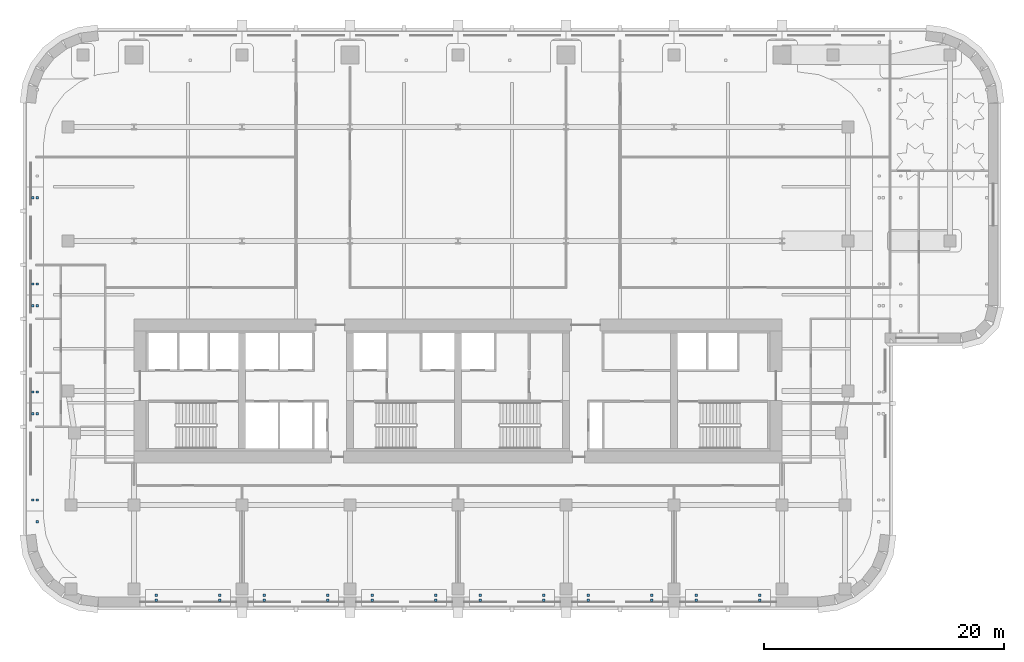
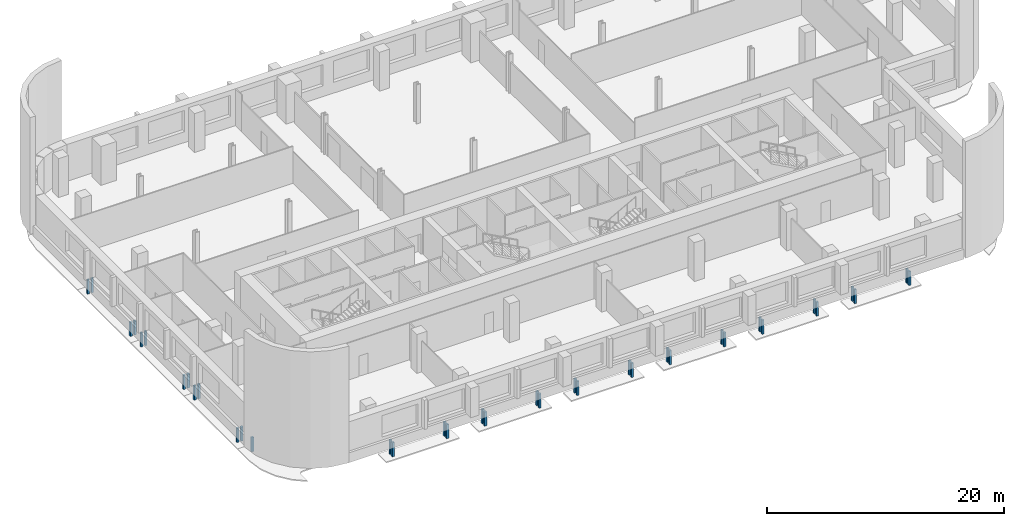
# One storey, part 8 of 13: 37 discrete accessories.
"""IFC4 building model written with IfcOpenShell, lengths in metres."""

import ifcopenshell
import ifcopenshell.guid

model = None  # the IFC model being written
_history = None  # IfcOwnerHistory: only IFC2X3 demands one
_inside = {}  # id of a spatial element -> (the spatial element, [elements in it])
_under = {}  # id of a project, library or spatial element -> (it, [spatial elements below it])
_declared = {}  # id of a project -> (the project, [libraries it declares])
_typed = {}  # id of a type object -> (the type object, [elements of that type])
_made_of = {}  # id of a material, layer set ... -> (it, [elements and type objects made of it])


def new_model(schema):
    """Start an empty IFC model of exactly this schema.

    Asked for "IFC4X3", IfcOpenShell would pick the latest addendum, in which some entities
    have other attributes; the version numbers below select the first issue.
    IFC2X3 requires an IfcOwnerHistory on every rooted entity: one is made here for all.
    """
    global model, _history
    if schema == "IFC4X3":
        model = ifcopenshell.file(schema_version=(4, 3, 0, 0))
    else:
        model = ifcopenshell.file(schema=schema)
    _inside.clear()
    _under.clear()
    _declared.clear()
    _typed.clear()
    _made_of.clear()
    _history = None
    if model.schema == "IFC2X3":
        org = make("IfcOrganization", Name="unknown")
        user = make(
            "IfcPersonAndOrganization",
            ThePerson=make("IfcPerson", FamilyName="unknown"),
            TheOrganization=org,
        )
        app = make(
            "IfcApplication",
            ApplicationDeveloper=org,
            Version="unknown",
            ApplicationFullName="unknown",
            ApplicationIdentifier="unknown",
        )
        _history = make(
            "IfcOwnerHistory",
            OwningUser=user,
            OwningApplication=app,
            ChangeAction="ADDED",
            CreationDate=0,
        )
    return model


def make(cls, **values):
    """One entity of the class cls with the attributes given. An attribute that is None is left unset."""
    return model.create_entity(
        cls, **{name: value for name, value in values.items() if value is not None}
    )


def rooted(cls, **values):
    """An entity with a GlobalId (a new one), such as an element, a storey or a relation."""
    return make(cls, GlobalId=ifcopenshell.guid.new(), OwnerHistory=_history, **values)


def si_unit(unit_type, name, prefix=None):
    """IfcSIUnit, for example si_unit("LENGTHUNIT", "METRE", prefix="MILLI")."""
    return make("IfcSIUnit", UnitType=unit_type, Prefix=prefix, Name=name)


def assignment(units):
    """IfcUnitAssignment: the units of a project."""
    return None if units is None else make("IfcUnitAssignment", Units=units)


def point(xyz):
    """IfcCartesianPoint."""
    return None if xyz is None else make("IfcCartesianPoint", Coordinates=xyz)


def direction(xyz):
    """IfcDirection."""
    return None if xyz is None else make("IfcDirection", DirectionRatios=xyz)


def frame(location, z_axis=None, x_axis=None):
    """IfcAxis2Placement3D, a coordinate frame: its origin and axes. An axis left out is left unset."""
    return make(
        "IfcAxis2Placement3D",
        Location=point(location),
        Axis=direction(z_axis),
        RefDirection=direction(x_axis),
    )


def frame_2d(location, x_axis=None):
    """IfcAxis2Placement2D, a coordinate frame in the plane: its origin and x axis."""
    return make(
        "IfcAxis2Placement2D", Location=point(location), RefDirection=direction(x_axis)
    )


def origin():
    """The frame at (0, 0, 0) with its axes left unset."""
    return frame((0.0, 0.0, 0.0))


def origin_2d():
    """The frame at (0, 0) in the plane with its x axis left unset."""
    return frame_2d((0.0, 0.0))


def place(relative_to, where):
    """IfcLocalPlacement: puts the frame where relative to a parent placement (None: the world)."""
    return make(
        "IfcLocalPlacement", PlacementRelTo=relative_to, RelativePlacement=where
    )


def context(
    kind, dimensions, precision=None, world=None, true_north=None, identifier=None
):
    """IfcGeometricRepresentationContext, for example the 3D "Model" context."""
    return make(
        "IfcGeometricRepresentationContext",
        ContextIdentifier=identifier,
        ContextType=kind,
        CoordinateSpaceDimension=dimensions,
        Precision=precision,
        WorldCoordinateSystem=world,
        TrueNorth=true_north,
    )


def subcontext(parent, identifier, kind, view, scale=None):
    """IfcGeometricRepresentationSubContext, for example "Body" below "Model"."""
    return make(
        "IfcGeometricRepresentationSubContext",
        ContextIdentifier=identifier,
        ContextType=kind,
        ParentContext=parent,
        TargetScale=scale,
        TargetView=view,
    )


def project(units=None, contexts=None):
    """IfcProject with its units and contexts."""
    return rooted(
        "IfcProject",
        Name="project",
        RepresentationContexts=contexts,
        UnitsInContext=assignment(units),
    )


def spatial(cls, under=None, at=None, **own):
    """A site, building, storey or space (cls), placed at a placement, below another one or the project."""
    s = rooted(cls, ObjectPlacement=at, **own)
    if under is not None:
        _under.setdefault(under.id(), (under, []))[1].append(s)
    return s


def profile(cls, at=None, kind="AREA", **sizes):
    """A parametric profile (cls). Its sizes go by their IFC names, for example OverallWidth=200.0."""
    return make(cls, ProfileType=kind, Position=at, **sizes)


def rectangle(**sizes):
    """IfcRectangleProfileDef."""
    return profile("IfcRectangleProfileDef", **sizes)


def extrude(swept, where, along, depth):
    """IfcExtrudedAreaSolid: the profile swept, set in the frame where, extruded along a direction by depth."""
    return make(
        "IfcExtrudedAreaSolid",
        SweptArea=swept,
        Position=where,
        ExtrudedDirection=direction(along),
        Depth=depth,
    )


def shape(context_of_items, identifier, shape_type, items):
    """IfcShapeRepresentation: the items that make up one representation, for example the "Body"."""
    return make(
        "IfcShapeRepresentation",
        ContextOfItems=context_of_items,
        RepresentationIdentifier=identifier,
        RepresentationType=shape_type,
        Items=items,
    )


def material(Name=None, Category=None):
    """IfcMaterial."""
    return make("IfcMaterial", Name=Name, Category=Category)


def made_of(thing, what):
    """Note that an element or type object is made of a material, layer set ...; save() writes the relation."""
    if what is not None:
        _made_of.setdefault(what.id(), (what, []))[1].append(thing)
    return thing


def type_object(cls, material=None, **own):
    """A type object (cls), such as IfcWallType, which elements share."""
    return made_of(rooted(cls, **own), material)


def element(
    cls,
    number,
    at=None,
    inside=None,
    cuts=None,
    type_object=None,
    material=None,
    context=None,
    identifier="Body",
    shape_type=None,
    held_by="IfcProductDefinitionShape",
    body=None,
    shapes=None,
    **own,
):
    """One element of the class cls, such as IfcWall. Its Tag is "e" and its number.

    at: its placement. inside: the storey or other place that contains it. cuts: it is an
    opening in that element (IfcRelVoidsElement). A single representation is given by context,
    identifier, shape_type and body (its items); several are given by shapes. held_by: the class
    of the entity that holds the representations. save() writes the other relations.
    """
    e = rooted(cls, Tag="e%d" % number, ObjectPlacement=at, **own)
    if body is not None:
        shapes = [shape(context, identifier, shape_type, body)]
    if shapes is not None:
        e.Representation = make(held_by, Representations=shapes)
    if inside is not None:
        _inside.setdefault(inside.id(), (inside, []))[1].append(e)
    if cuts is not None:
        rooted(
            "IfcRelVoidsElement", RelatingBuildingElement=cuts, RelatedOpeningElement=e
        )
    if type_object is not None:
        _typed.setdefault(type_object.id(), (type_object, []))[1].append(e)
    return made_of(e, material)


def aggregate(whole, parts):
    """IfcRelAggregates: a whole, such as a stair, and the parts it consists of."""
    return rooted("IfcRelAggregates", RelatingObject=whole, RelatedObjects=parts)


def save(model, path):
    """Write the relations noted so far, then the file.

    IfcRelAggregates (storeys below a building ...), IfcRelContainedInSpatialStructure (elements
    in a storey), IfcRelDefinesByType, IfcRelAssociatesMaterial and IfcRelDeclares: one each for
    every whole, place, type object, material and project.
    """
    for whole, parts in _under.values():
        aggregate(whole, parts)
    for where, things in _inside.values():
        rooted(
            "IfcRelContainedInSpatialStructure",
            RelatedElements=things,
            RelatingStructure=where,
        )
    for kind, things in _typed.values():
        rooted("IfcRelDefinesByType", RelatedObjects=things, RelatingType=kind)
    for what, things in _made_of.values():
        rooted("IfcRelAssociatesMaterial", RelatedObjects=things, RelatingMaterial=what)
    for by, libraries in _declared.values():
        rooted("IfcRelDeclares", RelatingContext=by, RelatedDefinitions=libraries)
    model.write(path)


model = new_model("IFC4")

# Units and contexts
model_context = context("Model", 3, precision=1e-05, world=origin(), true_north=direction((0.0, 1.0)))
body_context = subcontext(model_context, "Body", "Model", "MODEL_VIEW")
ifc_project = project(units=[si_unit("LENGTHUNIT", "METRE"), si_unit("AREAUNIT", "SQUARE_METRE"), si_unit("VOLUMEUNIT", "CUBIC_METRE"), si_unit("PLANEANGLEUNIT", "RADIAN"), si_unit("MASSUNIT", "GRAM", prefix="KILO")], contexts=[model_context])

# Site, building, storey
site_placement = place(None, origin())
site = spatial("IfcSite", under=ifc_project, at=site_placement, CompositionType="ELEMENT")
building_placement = place(site_placement, origin())
building = spatial("IfcBuilding", under=site, at=building_placement, Name="Zellij Exchange Tower", CompositionType="ELEMENT")
storey_placement = place(building_placement, frame((0.0, 0.0, 108.5)))
storey = spatial("IfcBuildingStorey", under=building, at=storey_placement, Name="L23", CompositionType="ELEMENT", Elevation=108.5)

# Discrete accessories
ifc_material = material(Name="Stainless steel", Category="steel")
discrete_accessory_type = type_object("IfcDiscreteAccessoryType", Name="ENV-BR1 Stone panel bracket 200", PredefinedType="USERDEFINED", material=ifc_material)
for number, where, z_axis, x_axis, name in (
    (1, (-35.050048828125, -18.89990234375, -1.64990234375), (0.0, 0.0, 1.0), (1.0, 0.0, 0.0), "Panel bracket"),
    (2, (-35.050048828125, -17.10009765625, -1.64990234375), (0.0, 0.0, 1.0), (1.0, 0.0, 0.0), "Panel bracket"),
    (3, (-35.449951171875, -17.10009765625, -1.64990234375), (0.0, 0.0, 1.0), (1.0, 0.0, 0.0), "Panel bracket"),
    (4, (-35.050048828125, -9.89990234375, -1.64990234375), (0.0, 0.0, 1.0), (1.0, 0.0, 0.0), "Panel bracket"),
    (5, (-35.449951171875, -9.89990234375, -1.64990234375), (0.0, 0.0, 1.0), (1.0, 0.0, 0.0), "Panel bracket"),
    (6, (-35.050048828125, -8.10009765625, -1.64990234375), (0.0, 0.0, 1.0), (1.0, 0.0, 0.0), "Panel bracket"),
    (7, (-35.449951171875, -8.10009765625, -1.64990234375), (0.0, 0.0, 1.0), (1.0, 0.0, 0.0), "Panel bracket"),
    (8, (-35.050048828125, -0.89990234375, -1.64990234375), (0.0, 0.0, 1.0), (1.0, 0.0, 0.0), "Panel bracket"),
    (9, (-35.449951171875, -0.89990234375, -1.64990234375), (0.0, 0.0, 1.0), (1.0, 0.0, 0.0), "Panel bracket"),
    (10, (-35.050048828125, 0.89990234375, -1.64990234375), (0.0, 0.0, 1.0), (1.0, 0.0, 0.0), "Panel bracket"),
    (11, (-35.449951171875, 0.89990234375, -1.64990234375), (0.0, 0.0, 1.0), (1.0, 0.0, 0.0), "Panel bracket"),
    (12, (-35.050048828125, 8.10009765625, -1.64990234375), (0.0, 0.0, 1.0), (1.0, 0.0, 0.0), "Panel bracket"),
    (13, (-35.449951171875, 8.10009765625, -1.64990234375), (0.0, 0.0, 1.0), (1.0, 0.0, 0.0), "Panel bracket"),
    (14, (-25.14990234375, -25.050048828125, -1.64990234375), (0.0, 0.0, 1.0), (1.0, 0.0, 0.0), "Panel bracket"),
    (15, (-19.85009765625, -25.050048828125, -1.64990234375), (0.0, 0.0, 1.0), (1.0, 0.0, 0.0), "Panel bracket"),
    (16, (-25.14990234375, -25.449951171875, -1.64990234375), (0.0, 0.0, 1.0), (1.0, 0.0, 0.0), "Panel bracket"),
    (17, (-19.85009765625, -25.449951171875, -1.64990234375), (0.0, 0.0, 1.0), (1.0, 0.0, 0.0), "Panel bracket"),
    (18, (-16.14990234375, -25.050048828125, -1.64990234375), (0.0, 0.0, 1.0), (1.0, 0.0, 0.0), "Panel bracket"),
    (19, (-10.85009765625, -25.050048828125, -1.64990234375), (0.0, 0.0, 1.0), (1.0, 0.0, 0.0), "Panel bracket"),
    (20, (-16.14990234375, -25.449951171875, -1.64990234375), (0.0, 0.0, 1.0), (1.0, 0.0, 0.0), "Panel bracket"),
    (21, (-10.85009765625, -25.449951171875, -1.64990234375), (0.0, 0.0, 1.0), (1.0, 0.0, 0.0), "Panel bracket"),
    (22, (-7.14990234375, -25.050048828125, -1.64990234375), (0.0, 0.0, 1.0), (1.0, 0.0, 0.0), "Panel bracket"),
    (23, (-1.85009765625, -25.050048828125, -1.64990234375), (0.0, 0.0, 1.0), (1.0, 0.0, 0.0), "Panel bracket"),
    (24, (-7.14990234375, -25.449951171875, -1.64990234375), (0.0, 0.0, 1.0), (1.0, 0.0, 0.0), "Panel bracket"),
    (25, (-1.85009765625, -25.449951171875, -1.64990234375), (0.0, 0.0, 1.0), (1.0, 0.0, 0.0), "Panel bracket"),
    (26, (1.85009765625, -25.050048828125, -1.64990234375), (0.0, 0.0, 1.0), (1.0, 0.0, 0.0), "Panel bracket"),
    (27, (7.14990234375, -25.050048828125, -1.64990234375), (0.0, 0.0, 1.0), (1.0, 0.0, 0.0), "Panel bracket"),
    (28, (1.85009765625, -25.449951171875, -1.64990234375), (0.0, 0.0, 1.0), (1.0, 0.0, 0.0), "Panel bracket"),
    (29, (7.14990234375, -25.449951171875, -1.64990234375), (0.0, 0.0, 1.0), (1.0, 0.0, 0.0), "Panel bracket"),
    (30, (10.85009765625, -25.050048828125, -1.64990234375), (0.0, 0.0, 1.0), (1.0, 0.0, 0.0), "Panel bracket"),
    (31, (16.14990234375, -25.050048828125, -1.64990234375), (0.0, 0.0, 1.0), (1.0, 0.0, 0.0), "Panel bracket"),
    (32, (10.85009765625, -25.449951171875, -1.64990234375), (0.0, 0.0, 1.0), (1.0, 0.0, 0.0), "Panel bracket"),
    (33, (16.14990234375, -25.449951171875, -1.64990234375), (0.0, 0.0, 1.0), (1.0, 0.0, 0.0), "Panel bracket"),
    (34, (19.85009765625, -25.050048828125, -1.64990234375), (0.0, 0.0, 1.0), (1.0, 0.0, 0.0), "Panel bracket"),
    (35, (25.14990234375, -25.050048828125, -1.64990234375), (0.0, 0.0, 1.0), (1.0, 0.0, 0.0), "Panel bracket"),
    (36, (19.85009765625, -25.449951171875, -1.64990234375), (0.0, 0.0, 1.0), (1.0, 0.0, 0.0), "Panel bracket"),
    (37, (25.14990234375, -25.449951171875, -1.64990234375), (0.0, 0.0, 1.0), (1.0, 0.0, 0.0), "Panel bracket"),
):
    element("IfcDiscreteAccessory", number, at=place(storey_placement, frame(where, z_axis=z_axis, x_axis=x_axis)), inside=storey, type_object=discrete_accessory_type, Name=name, ObjectType="BRACKET", PredefinedType="USERDEFINED", context=body_context, shape_type="SweptSolid", body=[
        extrude(rectangle(XDim=0.199951171875, YDim=0.199951171875, at=origin_2d()), origin(), (0.0, 0.0, 1.0), 1.449951171875),
    ])

save(model, "model.ifc")
